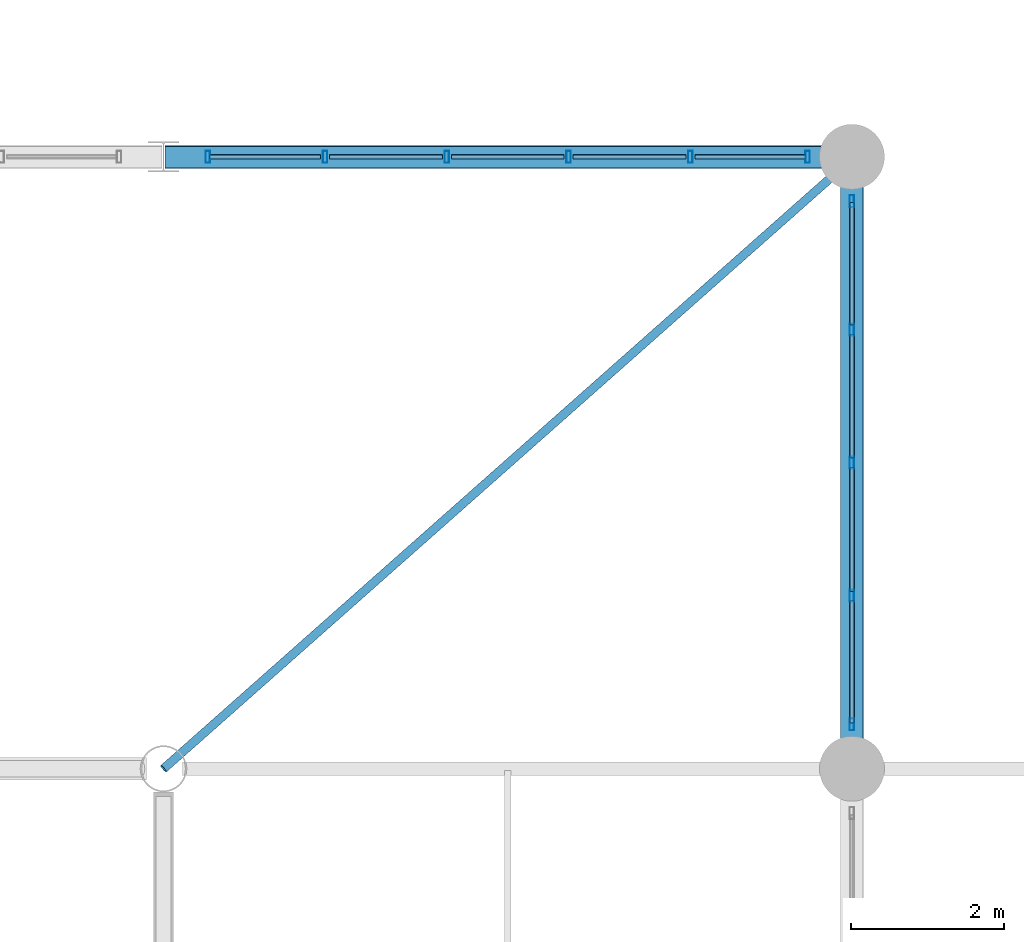
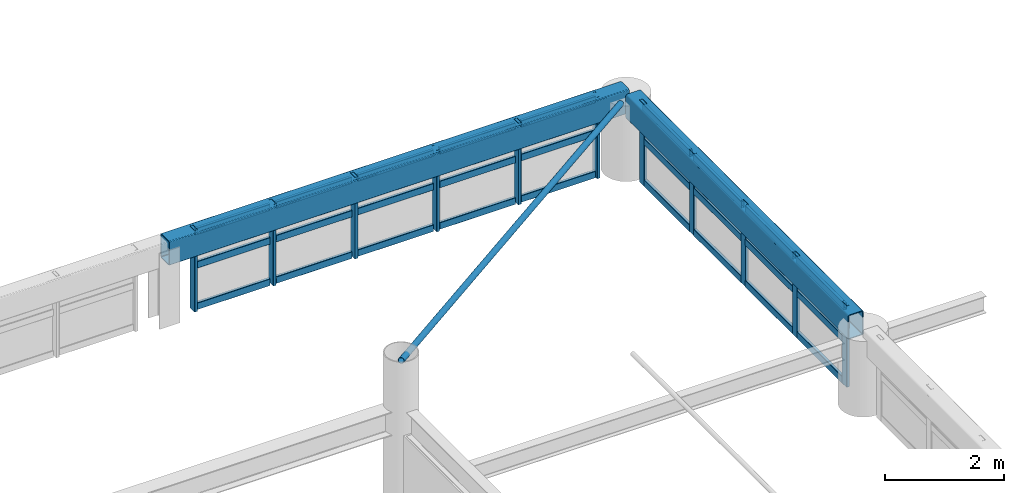
# One storey, part 59 of 128: 39 members, 2 beams, 2 elements without a shape of their own.
"""IFC4 building model written with IfcOpenShell, lengths in metres."""

from ifc_helpers import new_model, si_unit, derived_unit, direction, frame, origin, origin_2d, place, context, subcontext, project, spatial, hollow_rectangle, hollow_circle, extrude, material, material_profile, profile_set, type_object, element, aggregate, save


model = new_model("IFC4")

# Units and contexts
model_context = context("Model", 3, precision=1e-05, world=origin(), true_north=direction((0.0, 1.0)))
body_context = subcontext(model_context, "Body", "Model", "MODEL_VIEW")
ifc_project = project(units=[si_unit("LENGTHUNIT", "METRE"), si_unit("AREAUNIT", "SQUARE_METRE"), si_unit("VOLUMEUNIT", "CUBIC_METRE"), si_unit("PLANEANGLEUNIT", "RADIAN"), si_unit("MASSUNIT", "GRAM", prefix="KILO"), derived_unit("THERMALTRANSMITTANCEUNIT", [(si_unit("MASSUNIT", "GRAM", prefix="KILO"), 1), (si_unit("TIMEUNIT", "SECOND"), -3), (si_unit("THERMODYNAMICTEMPERATUREUNIT", "KELVIN"), -1)])], contexts=[model_context])

# Site, building, storey
site_placement = place(None, origin())
site = spatial("IfcSite", under=ifc_project, at=site_placement, CompositionType="ELEMENT")
building_placement = place(site_placement, origin())
building = spatial("IfcBuilding", under=site, at=building_placement, Name="Zhenchuan Archway Interchange", CompositionType="ELEMENT")
storey_placement = place(building_placement, frame((0.0, 0.0, 14.39990234375)))
storey = spatial("IfcBuildingStorey", under=building, at=storey_placement, Name="L03", CompositionType="ELEMENT", Elevation=14.39990234375)

# Beams
ifc_material_1 = material(Name="Steel Q390", Category="steel")
ifc_material_profile_1 = material_profile(ifc_material_1, hollow_rectangle(XDim=0.300048828125, YDim=0.5, WallThickness=0.01611328125, InnerFilletRadius=0.01611328125, OuterFilletRadius=0.031982421875, at=origin_2d()), Name="RHS 500x300x16")
ifc_profile_set_1 = profile_set([ifc_material_profile_1], Name="Steel Q390")
beam_type = type_object("IfcBeamType", Name="BM_RING_RHS500", PredefinedType="BEAM", material=ifc_profile_set_1)
beam_1_placement = place(storey_placement, frame((63.02001953125, 88.0, 1.4501953125), z_axis=(1.0, 0.0, 0.0), x_axis=(0.0, 1.0, 0.0)))
element("IfcBeam", 1, at=beam_1_placement, inside=storey, type_object=beam_type, Name="CONCOURSE CABLE-NET RING BEAM N-5", PredefinedType="BEAM", context=body_context, shape_type="SweptSolid", body=[
    extrude(hollow_rectangle(XDim=0.300048828125, YDim=0.5, WallThickness=0.01611328125, InnerFilletRadius=0.01611328125, OuterFilletRadius=0.031982421875, at=origin_2d()), origin(), (0.0, 0.0, 1.0), 8.9599609375),
])
beam_2_placement = place(storey_placement, frame((72.0, 80.25, 1.4501953125), z_axis=(0.0, 1.0, 0.0), x_axis=(-1.0, 0.0, 0.0)))
element("IfcBeam", 2, at=beam_2_placement, inside=storey, type_object=beam_type, Name="CONCOURSE CABLE-NET RING BEAM E-8", PredefinedType="BEAM", context=body_context, shape_type="SweptSolid", body=[
    extrude(hollow_rectangle(XDim=0.300048828125, YDim=0.5, WallThickness=0.01611328125, InnerFilletRadius=0.01611328125, OuterFilletRadius=0.031982421875, at=origin_2d()), origin(), (0.0, 0.0, 1.0), 7.5),
])

# Curtain wall, members
ifc_material_2 = material(Name="Anodised Aluminium", Category="aluminium")
curtain_wall_type_1 = type_object("IfcCurtainWallType", Name="CW_UNIT_3", PredefinedType="NOTDEFINED", material=ifc_material_2)
curtain_wall_1_placement = place(storey_placement, origin())
curtain_wall_1 = element("IfcCurtainWall", 3, at=curtain_wall_1_placement, inside=storey, type_object=curtain_wall_type_1, Name="Unitised curtain wall CW:L03:RING-E8", PredefinedType="NOTDEFINED")
ifc_material_profile_2 = material_profile(ifc_material_2, hollow_rectangle(XDim=0.06005859375, YDim=0.159912109375, WallThickness=0.00390625, InnerFilletRadius=0.00390625, OuterFilletRadius=0.008056640625, at=origin_2d()), Name="ALU 160x60x4")
ifc_profile_set_2 = profile_set([ifc_material_profile_2], Name="Anodised Aluminium")
member_type_1 = type_object("IfcMemberType", Name="CW_MUL_150", PredefinedType="MULLION", material=ifc_profile_set_2)
member_1_placement = place(storey_placement, frame((72.0, 80.580078125, 0.02001953125), z_axis=(0.0, 0.0, 1.0), x_axis=(1.0, 0.0, 0.0)))
member_1 = element("IfcMember", 4, at=member_1_placement, type_object=member_type_1, Name="CW:L03:RING-E8 mullion 0", PredefinedType="MULLION", context=body_context, shape_type="SweptSolid", body=[
    extrude(hollow_rectangle(XDim=0.06005859375, YDim=0.159912109375, WallThickness=0.00390625, InnerFilletRadius=0.00390625, OuterFilletRadius=0.008056640625, at=origin_2d()), origin(), (0.0, 0.0, 1.0), 1.68017578125),
])
member_2_placement = place(storey_placement, frame((72.0, 82.260009765625, 0.02001953125), z_axis=(0.0, 0.0, 1.0), x_axis=(1.0, 0.0, 0.0)))
member_2 = element("IfcMember", 5, at=member_2_placement, type_object=member_type_1, Name="CW:L03:RING-E8 mullion 1", PredefinedType="MULLION", context=body_context, shape_type="SweptSolid", body=[
    extrude(hollow_rectangle(XDim=0.06005859375, YDim=0.159912109375, WallThickness=0.00390625, InnerFilletRadius=0.00390625, OuterFilletRadius=0.008056640625, at=origin_2d()), origin(), (0.0, 0.0, 1.0), 1.68017578125),
])
member_3_placement = place(storey_placement, frame((72.0, 84.0, 0.02001953125), z_axis=(0.0, 0.0, 1.0), x_axis=(1.0, 0.0, 0.0)))
member_3 = element("IfcMember", 6, at=member_3_placement, type_object=member_type_1, Name="CW:L03:RING-E8 mullion 2", PredefinedType="MULLION", context=body_context, shape_type="SweptSolid", body=[
    extrude(hollow_rectangle(XDim=0.06005859375, YDim=0.159912109375, WallThickness=0.00390625, InnerFilletRadius=0.00390625, OuterFilletRadius=0.008056640625, at=origin_2d()), origin(), (0.0, 0.0, 1.0), 1.68017578125),
])
member_4_placement = place(storey_placement, frame((72.0, 85.739990234375, 0.02001953125), z_axis=(0.0, 0.0, 1.0), x_axis=(1.0, 0.0, 0.0)))
member_4 = element("IfcMember", 7, at=member_4_placement, type_object=member_type_1, Name="CW:L03:RING-E8 mullion 3", PredefinedType="MULLION", context=body_context, shape_type="SweptSolid", body=[
    extrude(hollow_rectangle(XDim=0.06005859375, YDim=0.159912109375, WallThickness=0.00390625, InnerFilletRadius=0.00390625, OuterFilletRadius=0.008056640625, at=origin_2d()), origin(), (0.0, 0.0, 1.0), 1.68017578125),
])
member_5_placement = place(storey_placement, frame((72.0, 87.419921875, 0.02001953125), z_axis=(0.0, 0.0, 1.0), x_axis=(1.0, 0.0, 0.0)))
member_5 = element("IfcMember", 8, at=member_5_placement, type_object=member_type_1, Name="CW:L03:RING-E8 mullion 4", PredefinedType="MULLION", context=body_context, shape_type="SweptSolid", body=[
    extrude(hollow_rectangle(XDim=0.06005859375, YDim=0.159912109375, WallThickness=0.00390625, InnerFilletRadius=0.00390625, OuterFilletRadius=0.008056640625, at=origin_2d()), origin(), (0.0, 0.0, 1.0), 1.68017578125),
])

curtain_wall_type_2 = type_object("IfcCurtainWallType", Name="CW_UNIT_4", PredefinedType="NOTDEFINED", material=ifc_material_2)
curtain_wall_2_placement = place(storey_placement, origin())
curtain_wall_2 = element("IfcCurtainWall", 9, at=curtain_wall_2_placement, inside=storey, type_object=curtain_wall_type_2, Name="Unitised curtain wall CW:L03:RING-N5", PredefinedType="NOTDEFINED")
member_6_placement = place(storey_placement, frame((63.580078125, 88.0, 0.02001953125), z_axis=(0.0, 0.0, 1.0), x_axis=(1.0, 0.0, 0.0)))
member_6 = element("IfcMember", 10, at=member_6_placement, type_object=member_type_1, Name="CW:L03:RING-N5 mullion 0", PredefinedType="MULLION", context=body_context, shape_type="SweptSolid", body=[
    extrude(hollow_rectangle(XDim=0.06005859375, YDim=0.159912109375, WallThickness=0.00390625, InnerFilletRadius=0.00390625, OuterFilletRadius=0.008056640625, at=origin_2d()), origin(), (0.0, 0.0, 1.0), 1.68017578125),
])
member_7_placement = place(storey_placement, frame((65.112060546875, 88.0, 0.02001953125), z_axis=(0.0, 0.0, 1.0), x_axis=(1.0, 0.0, 0.0)))
member_7 = element("IfcMember", 11, at=member_7_placement, type_object=member_type_1, Name="CW:L03:RING-N5 mullion 1", PredefinedType="MULLION", context=body_context, shape_type="SweptSolid", body=[
    extrude(hollow_rectangle(XDim=0.06005859375, YDim=0.159912109375, WallThickness=0.00390625, InnerFilletRadius=0.00390625, OuterFilletRadius=0.008056640625, at=origin_2d()), origin(), (0.0, 0.0, 1.0), 1.68017578125),
])
member_8_placement = place(storey_placement, frame((66.7041015625, 88.0, 0.02001953125), z_axis=(0.0, 0.0, 1.0), x_axis=(1.0, 0.0, 0.0)))
member_8 = element("IfcMember", 12, at=member_8_placement, type_object=member_type_1, Name="CW:L03:RING-N5 mullion 2", PredefinedType="MULLION", context=body_context, shape_type="SweptSolid", body=[
    extrude(hollow_rectangle(XDim=0.06005859375, YDim=0.159912109375, WallThickness=0.00390625, InnerFilletRadius=0.00390625, OuterFilletRadius=0.008056640625, at=origin_2d()), origin(), (0.0, 0.0, 1.0), 1.68017578125),
])
member_9_placement = place(storey_placement, frame((68.2958984375, 88.0, 0.02001953125), z_axis=(0.0, 0.0, 1.0), x_axis=(1.0, 0.0, 0.0)))
member_9 = element("IfcMember", 13, at=member_9_placement, type_object=member_type_1, Name="CW:L03:RING-N5 mullion 3", PredefinedType="MULLION", context=body_context, shape_type="SweptSolid", body=[
    extrude(hollow_rectangle(XDim=0.06005859375, YDim=0.159912109375, WallThickness=0.00390625, InnerFilletRadius=0.00390625, OuterFilletRadius=0.008056640625, at=origin_2d()), origin(), (0.0, 0.0, 1.0), 1.68017578125),
])
member_10_placement = place(storey_placement, frame((69.887939453125, 88.0, 0.02001953125), z_axis=(0.0, 0.0, 1.0), x_axis=(1.0, 0.0, 0.0)))
member_10 = element("IfcMember", 14, at=member_10_placement, type_object=member_type_1, Name="CW:L03:RING-N5 mullion 4", PredefinedType="MULLION", context=body_context, shape_type="SweptSolid", body=[
    extrude(hollow_rectangle(XDim=0.06005859375, YDim=0.159912109375, WallThickness=0.00390625, InnerFilletRadius=0.00390625, OuterFilletRadius=0.008056640625, at=origin_2d()), origin(), (0.0, 0.0, 1.0), 1.68017578125),
])
member_11_placement = place(storey_placement, frame((71.419921875, 88.0, 0.02001953125), z_axis=(0.0, 0.0, 1.0), x_axis=(1.0, 0.0, 0.0)))
member_11 = element("IfcMember", 15, at=member_11_placement, type_object=member_type_1, Name="CW:L03:RING-N5 mullion 5", PredefinedType="MULLION", context=body_context, shape_type="SweptSolid", body=[
    extrude(hollow_rectangle(XDim=0.06005859375, YDim=0.159912109375, WallThickness=0.00390625, InnerFilletRadius=0.00390625, OuterFilletRadius=0.008056640625, at=origin_2d()), origin(), (0.0, 0.0, 1.0), 1.68017578125),
])

# Member
ifc_material_profile_3 = material_profile(ifc_material_2, hollow_rectangle(XDim=0.06005859375, YDim=0.139892578125, WallThickness=0.00341796875, InnerFilletRadius=0.00341796875, OuterFilletRadius=0.007080078125, at=origin_2d()), Name="ALU 140x60x3.5")
ifc_profile_set_3 = profile_set([ifc_material_profile_3], Name="Anodised Aluminium")
member_type_2 = type_object("IfcMemberType", Name="CW_TRN_140", PredefinedType="USERDEFINED", material=ifc_profile_set_3)
member_12_placement = place(storey_placement, frame((72.0, 80.60009765625, 0.080078125), z_axis=(0.0, 1.0, 0.0), x_axis=(-1.0, 0.0, 0.0)))
member_12 = element("IfcMember", 16, at=member_12_placement, type_object=member_type_2, Name="CW:L03:RING-E8 transom 0-1", ObjectType="TRANSOM", PredefinedType="USERDEFINED", context=body_context, shape_type="SweptSolid", body=[
    extrude(hollow_rectangle(XDim=0.06005859375, YDim=0.139892578125, WallThickness=0.00341796875, InnerFilletRadius=0.00341796875, OuterFilletRadius=0.007080078125, at=origin_2d()), origin(), (0.0, 0.0, 1.0), 1.599853515625),
])

member_13_placement = place(storey_placement, frame((72.0, 80.60009765625, 0.93310546875), z_axis=(0.0, 1.0, 0.0), x_axis=(-1.0, 0.0, 0.0)))
member_13 = element("IfcMember", 17, at=member_13_placement, type_object=member_type_2, Name="CW:L03:RING-E8 transom 0-2", ObjectType="TRANSOM", PredefinedType="USERDEFINED", context=body_context, shape_type="SweptSolid", body=[
    extrude(hollow_rectangle(XDim=0.06005859375, YDim=0.139892578125, WallThickness=0.00341796875, InnerFilletRadius=0.00341796875, OuterFilletRadius=0.007080078125, at=origin_2d()), origin(), (0.0, 0.0, 1.0), 1.599853515625),
])

member_14_placement = place(storey_placement, frame((72.0, 80.60009765625, 1.6201171875), z_axis=(0.0, 1.0, 0.0), x_axis=(-1.0, 0.0, 0.0)))
member_14 = element("IfcMember", 18, at=member_14_placement, type_object=member_type_2, Name="CW:L03:RING-E8 transom 0-3", ObjectType="TRANSOM", PredefinedType="USERDEFINED", context=body_context, shape_type="SweptSolid", body=[
    extrude(hollow_rectangle(XDim=0.06005859375, YDim=0.139892578125, WallThickness=0.00341796875, InnerFilletRadius=0.00341796875, OuterFilletRadius=0.007080078125, at=origin_2d()), origin(), (0.0, 0.0, 1.0), 1.599853515625),
])

member_15_placement = place(storey_placement, frame((72.0, 82.320068359375, 0.080078125), z_axis=(0.0, 1.0, 0.0), x_axis=(-1.0, 0.0, 0.0)))
member_15 = element("IfcMember", 19, at=member_15_placement, type_object=member_type_2, Name="CW:L03:RING-E8 transom 1-1", ObjectType="TRANSOM", PredefinedType="USERDEFINED", context=body_context, shape_type="SweptSolid", body=[
    extrude(hollow_rectangle(XDim=0.06005859375, YDim=0.139892578125, WallThickness=0.00341796875, InnerFilletRadius=0.00341796875, OuterFilletRadius=0.007080078125, at=origin_2d()), origin(), (0.0, 0.0, 1.0), 1.619873046875),
])

member_16_placement = place(storey_placement, frame((72.0, 82.320068359375, 0.93310546875), z_axis=(0.0, 1.0, 0.0), x_axis=(-1.0, 0.0, 0.0)))
member_16 = element("IfcMember", 20, at=member_16_placement, type_object=member_type_2, Name="CW:L03:RING-E8 transom 1-2", ObjectType="TRANSOM", PredefinedType="USERDEFINED", context=body_context, shape_type="SweptSolid", body=[
    extrude(hollow_rectangle(XDim=0.06005859375, YDim=0.139892578125, WallThickness=0.00341796875, InnerFilletRadius=0.00341796875, OuterFilletRadius=0.007080078125, at=origin_2d()), origin(), (0.0, 0.0, 1.0), 1.619873046875),
])

member_17_placement = place(storey_placement, frame((72.0, 82.320068359375, 1.6201171875), z_axis=(0.0, 1.0, 0.0), x_axis=(-1.0, 0.0, 0.0)))
member_17 = element("IfcMember", 21, at=member_17_placement, type_object=member_type_2, Name="CW:L03:RING-E8 transom 1-3", ObjectType="TRANSOM", PredefinedType="USERDEFINED", context=body_context, shape_type="SweptSolid", body=[
    extrude(hollow_rectangle(XDim=0.06005859375, YDim=0.139892578125, WallThickness=0.00341796875, InnerFilletRadius=0.00341796875, OuterFilletRadius=0.007080078125, at=origin_2d()), origin(), (0.0, 0.0, 1.0), 1.619873046875),
])

member_18_placement = place(storey_placement, frame((72.0, 84.06005859375, 0.080078125), z_axis=(0.0, 1.0, 0.0), x_axis=(-1.0, 0.0, 0.0)))
member_18 = element("IfcMember", 22, at=member_18_placement, type_object=member_type_2, Name="CW:L03:RING-E8 transom 2-1", ObjectType="TRANSOM", PredefinedType="USERDEFINED", context=body_context, shape_type="SweptSolid", body=[
    extrude(hollow_rectangle(XDim=0.06005859375, YDim=0.139892578125, WallThickness=0.00341796875, InnerFilletRadius=0.00341796875, OuterFilletRadius=0.007080078125, at=origin_2d()), origin(), (0.0, 0.0, 1.0), 1.619873046875),
])

member_19_placement = place(storey_placement, frame((72.0, 84.06005859375, 0.93310546875), z_axis=(0.0, 1.0, 0.0), x_axis=(-1.0, 0.0, 0.0)))
member_19 = element("IfcMember", 23, at=member_19_placement, type_object=member_type_2, Name="CW:L03:RING-E8 transom 2-2", ObjectType="TRANSOM", PredefinedType="USERDEFINED", context=body_context, shape_type="SweptSolid", body=[
    extrude(hollow_rectangle(XDim=0.06005859375, YDim=0.139892578125, WallThickness=0.00341796875, InnerFilletRadius=0.00341796875, OuterFilletRadius=0.007080078125, at=origin_2d()), origin(), (0.0, 0.0, 1.0), 1.619873046875),
])

member_20_placement = place(storey_placement, frame((72.0, 84.06005859375, 1.6201171875), z_axis=(0.0, 1.0, 0.0), x_axis=(-1.0, 0.0, 0.0)))
member_20 = element("IfcMember", 24, at=member_20_placement, type_object=member_type_2, Name="CW:L03:RING-E8 transom 2-3", ObjectType="TRANSOM", PredefinedType="USERDEFINED", context=body_context, shape_type="SweptSolid", body=[
    extrude(hollow_rectangle(XDim=0.06005859375, YDim=0.139892578125, WallThickness=0.00341796875, InnerFilletRadius=0.00341796875, OuterFilletRadius=0.007080078125, at=origin_2d()), origin(), (0.0, 0.0, 1.0), 1.619873046875),
])

member_21_placement = place(storey_placement, frame((72.0, 85.800048828125, 0.080078125), z_axis=(0.0, 1.0, 0.0), x_axis=(-1.0, 0.0, 0.0)))
member_21 = element("IfcMember", 25, at=member_21_placement, type_object=member_type_2, Name="CW:L03:RING-E8 transom 3-1", ObjectType="TRANSOM", PredefinedType="USERDEFINED", context=body_context, shape_type="SweptSolid", body=[
    extrude(hollow_rectangle(XDim=0.06005859375, YDim=0.139892578125, WallThickness=0.00341796875, InnerFilletRadius=0.00341796875, OuterFilletRadius=0.007080078125, at=origin_2d()), origin(), (0.0, 0.0, 1.0), 1.599853515625),
])

member_22_placement = place(storey_placement, frame((72.0, 85.800048828125, 0.93310546875), z_axis=(0.0, 1.0, 0.0), x_axis=(-1.0, 0.0, 0.0)))
member_22 = element("IfcMember", 26, at=member_22_placement, type_object=member_type_2, Name="CW:L03:RING-E8 transom 3-2", ObjectType="TRANSOM", PredefinedType="USERDEFINED", context=body_context, shape_type="SweptSolid", body=[
    extrude(hollow_rectangle(XDim=0.06005859375, YDim=0.139892578125, WallThickness=0.00341796875, InnerFilletRadius=0.00341796875, OuterFilletRadius=0.007080078125, at=origin_2d()), origin(), (0.0, 0.0, 1.0), 1.599853515625),
])

member_23_placement = place(storey_placement, frame((72.0, 85.800048828125, 1.6201171875), z_axis=(0.0, 1.0, 0.0), x_axis=(-1.0, 0.0, 0.0)))
member_23 = element("IfcMember", 27, at=member_23_placement, type_object=member_type_2, Name="CW:L03:RING-E8 transom 3-3", ObjectType="TRANSOM", PredefinedType="USERDEFINED", context=body_context, shape_type="SweptSolid", body=[
    extrude(hollow_rectangle(XDim=0.06005859375, YDim=0.139892578125, WallThickness=0.00341796875, InnerFilletRadius=0.00341796875, OuterFilletRadius=0.007080078125, at=origin_2d()), origin(), (0.0, 0.0, 1.0), 1.599853515625),
])

aggregate(curtain_wall_1, [member_1, member_2, member_3, member_4, member_5, member_12, member_13, member_14, member_15, member_16, member_17, member_18, member_19, member_20, member_21, member_22, member_23])

member_24_placement = place(storey_placement, frame((63.60009765625, 88.0, 0.080078125), z_axis=(1.0, 0.0, 0.0), x_axis=(0.0, 1.0, 0.0)))
member_24 = element("IfcMember", 28, at=member_24_placement, type_object=member_type_2, Name="CW:L03:RING-N5 transom 0-1", ObjectType="TRANSOM", PredefinedType="USERDEFINED", context=body_context, shape_type="SweptSolid", body=[
    extrude(hollow_rectangle(XDim=0.06005859375, YDim=0.139892578125, WallThickness=0.00341796875, InnerFilletRadius=0.00341796875, OuterFilletRadius=0.007080078125, at=origin_2d()), origin(), (0.0, 0.0, 1.0), 1.451904296875),
])

member_25_placement = place(storey_placement, frame((63.60009765625, 88.0, 0.93310546875), z_axis=(1.0, 0.0, 0.0), x_axis=(0.0, 1.0, 0.0)))
member_25 = element("IfcMember", 29, at=member_25_placement, type_object=member_type_2, Name="CW:L03:RING-N5 transom 0-2", ObjectType="TRANSOM", PredefinedType="USERDEFINED", context=body_context, shape_type="SweptSolid", body=[
    extrude(hollow_rectangle(XDim=0.06005859375, YDim=0.139892578125, WallThickness=0.00341796875, InnerFilletRadius=0.00341796875, OuterFilletRadius=0.007080078125, at=origin_2d()), origin(), (0.0, 0.0, 1.0), 1.451904296875),
])

member_26_placement = place(storey_placement, frame((63.60009765625, 88.0, 1.6201171875), z_axis=(1.0, 0.0, 0.0), x_axis=(0.0, 1.0, 0.0)))
member_26 = element("IfcMember", 30, at=member_26_placement, type_object=member_type_2, Name="CW:L03:RING-N5 transom 0-3", ObjectType="TRANSOM", PredefinedType="USERDEFINED", context=body_context, shape_type="SweptSolid", body=[
    extrude(hollow_rectangle(XDim=0.06005859375, YDim=0.139892578125, WallThickness=0.00341796875, InnerFilletRadius=0.00341796875, OuterFilletRadius=0.007080078125, at=origin_2d()), origin(), (0.0, 0.0, 1.0), 1.451904296875),
])

member_27_placement = place(storey_placement, frame((65.172119140625, 88.0, 0.080078125), z_axis=(1.0, 0.0, 0.0), x_axis=(0.0, 1.0, 0.0)))
member_27 = element("IfcMember", 31, at=member_27_placement, type_object=member_type_2, Name="CW:L03:RING-N5 transom 1-1", ObjectType="TRANSOM", PredefinedType="USERDEFINED", context=body_context, shape_type="SweptSolid", body=[
    extrude(hollow_rectangle(XDim=0.06005859375, YDim=0.139892578125, WallThickness=0.00341796875, InnerFilletRadius=0.00341796875, OuterFilletRadius=0.007080078125, at=origin_2d()), origin(), (0.0, 0.0, 1.0), 1.471923828125),
])

member_28_placement = place(storey_placement, frame((65.172119140625, 88.0, 0.93310546875), z_axis=(1.0, 0.0, 0.0), x_axis=(0.0, 1.0, 0.0)))
member_28 = element("IfcMember", 32, at=member_28_placement, type_object=member_type_2, Name="CW:L03:RING-N5 transom 1-2", ObjectType="TRANSOM", PredefinedType="USERDEFINED", context=body_context, shape_type="SweptSolid", body=[
    extrude(hollow_rectangle(XDim=0.06005859375, YDim=0.139892578125, WallThickness=0.00341796875, InnerFilletRadius=0.00341796875, OuterFilletRadius=0.007080078125, at=origin_2d()), origin(), (0.0, 0.0, 1.0), 1.471923828125),
])

member_29_placement = place(storey_placement, frame((65.172119140625, 88.0, 1.6201171875), z_axis=(1.0, 0.0, 0.0), x_axis=(0.0, 1.0, 0.0)))
member_29 = element("IfcMember", 33, at=member_29_placement, type_object=member_type_2, Name="CW:L03:RING-N5 transom 1-3", ObjectType="TRANSOM", PredefinedType="USERDEFINED", context=body_context, shape_type="SweptSolid", body=[
    extrude(hollow_rectangle(XDim=0.06005859375, YDim=0.139892578125, WallThickness=0.00341796875, InnerFilletRadius=0.00341796875, OuterFilletRadius=0.007080078125, at=origin_2d()), origin(), (0.0, 0.0, 1.0), 1.471923828125),
])

member_30_placement = place(storey_placement, frame((66.763916015625, 88.0, 0.080078125), z_axis=(1.0, 0.0, 0.0), x_axis=(0.0, 1.0, 0.0)))
member_30 = element("IfcMember", 34, at=member_30_placement, type_object=member_type_2, Name="CW:L03:RING-N5 transom 2-1", ObjectType="TRANSOM", PredefinedType="USERDEFINED", context=body_context, shape_type="SweptSolid", body=[
    extrude(hollow_rectangle(XDim=0.06005859375, YDim=0.139892578125, WallThickness=0.00341796875, InnerFilletRadius=0.00341796875, OuterFilletRadius=0.007080078125, at=origin_2d()), origin(), (0.0, 0.0, 1.0), 1.47216796875),
])

member_31_placement = place(storey_placement, frame((66.763916015625, 88.0, 0.93310546875), z_axis=(1.0, 0.0, 0.0), x_axis=(0.0, 1.0, 0.0)))
member_31 = element("IfcMember", 35, at=member_31_placement, type_object=member_type_2, Name="CW:L03:RING-N5 transom 2-2", ObjectType="TRANSOM", PredefinedType="USERDEFINED", context=body_context, shape_type="SweptSolid", body=[
    extrude(hollow_rectangle(XDim=0.06005859375, YDim=0.139892578125, WallThickness=0.00341796875, InnerFilletRadius=0.00341796875, OuterFilletRadius=0.007080078125, at=origin_2d()), origin(), (0.0, 0.0, 1.0), 1.47216796875),
])

member_32_placement = place(storey_placement, frame((66.763916015625, 88.0, 1.6201171875), z_axis=(1.0, 0.0, 0.0), x_axis=(0.0, 1.0, 0.0)))
member_32 = element("IfcMember", 36, at=member_32_placement, type_object=member_type_2, Name="CW:L03:RING-N5 transom 2-3", ObjectType="TRANSOM", PredefinedType="USERDEFINED", context=body_context, shape_type="SweptSolid", body=[
    extrude(hollow_rectangle(XDim=0.06005859375, YDim=0.139892578125, WallThickness=0.00341796875, InnerFilletRadius=0.00341796875, OuterFilletRadius=0.007080078125, at=origin_2d()), origin(), (0.0, 0.0, 1.0), 1.47216796875),
])

member_33_placement = place(storey_placement, frame((68.35595703125, 88.0, 0.080078125), z_axis=(1.0, 0.0, 0.0), x_axis=(0.0, 1.0, 0.0)))
member_33 = element("IfcMember", 37, at=member_33_placement, type_object=member_type_2, Name="CW:L03:RING-N5 transom 3-1", ObjectType="TRANSOM", PredefinedType="USERDEFINED", context=body_context, shape_type="SweptSolid", body=[
    extrude(hollow_rectangle(XDim=0.06005859375, YDim=0.139892578125, WallThickness=0.00341796875, InnerFilletRadius=0.00341796875, OuterFilletRadius=0.007080078125, at=origin_2d()), origin(), (0.0, 0.0, 1.0), 1.471923828125),
])

member_34_placement = place(storey_placement, frame((68.35595703125, 88.0, 0.93310546875), z_axis=(1.0, 0.0, 0.0), x_axis=(0.0, 1.0, 0.0)))
member_34 = element("IfcMember", 38, at=member_34_placement, type_object=member_type_2, Name="CW:L03:RING-N5 transom 3-2", ObjectType="TRANSOM", PredefinedType="USERDEFINED", context=body_context, shape_type="SweptSolid", body=[
    extrude(hollow_rectangle(XDim=0.06005859375, YDim=0.139892578125, WallThickness=0.00341796875, InnerFilletRadius=0.00341796875, OuterFilletRadius=0.007080078125, at=origin_2d()), origin(), (0.0, 0.0, 1.0), 1.471923828125),
])

member_35_placement = place(storey_placement, frame((68.35595703125, 88.0, 1.6201171875), z_axis=(1.0, 0.0, 0.0), x_axis=(0.0, 1.0, 0.0)))
member_35 = element("IfcMember", 39, at=member_35_placement, type_object=member_type_2, Name="CW:L03:RING-N5 transom 3-3", ObjectType="TRANSOM", PredefinedType="USERDEFINED", context=body_context, shape_type="SweptSolid", body=[
    extrude(hollow_rectangle(XDim=0.06005859375, YDim=0.139892578125, WallThickness=0.00341796875, InnerFilletRadius=0.00341796875, OuterFilletRadius=0.007080078125, at=origin_2d()), origin(), (0.0, 0.0, 1.0), 1.471923828125),
])

member_36_placement = place(storey_placement, frame((69.947998046875, 88.0, 0.080078125), z_axis=(1.0, 0.0, 0.0), x_axis=(0.0, 1.0, 0.0)))
member_36 = element("IfcMember", 40, at=member_36_placement, type_object=member_type_2, Name="CW:L03:RING-N5 transom 4-1", ObjectType="TRANSOM", PredefinedType="USERDEFINED", context=body_context, shape_type="SweptSolid", body=[
    extrude(hollow_rectangle(XDim=0.06005859375, YDim=0.139892578125, WallThickness=0.00341796875, InnerFilletRadius=0.00341796875, OuterFilletRadius=0.007080078125, at=origin_2d()), origin(), (0.0, 0.0, 1.0), 1.451904296875),
])

member_37_placement = place(storey_placement, frame((69.947998046875, 88.0, 0.93310546875), z_axis=(1.0, 0.0, 0.0), x_axis=(0.0, 1.0, 0.0)))
member_37 = element("IfcMember", 41, at=member_37_placement, type_object=member_type_2, Name="CW:L03:RING-N5 transom 4-2", ObjectType="TRANSOM", PredefinedType="USERDEFINED", context=body_context, shape_type="SweptSolid", body=[
    extrude(hollow_rectangle(XDim=0.06005859375, YDim=0.139892578125, WallThickness=0.00341796875, InnerFilletRadius=0.00341796875, OuterFilletRadius=0.007080078125, at=origin_2d()), origin(), (0.0, 0.0, 1.0), 1.451904296875),
])

member_38_placement = place(storey_placement, frame((69.947998046875, 88.0, 1.6201171875), z_axis=(1.0, 0.0, 0.0), x_axis=(0.0, 1.0, 0.0)))
member_38 = element("IfcMember", 42, at=member_38_placement, type_object=member_type_2, Name="CW:L03:RING-N5 transom 4-3", ObjectType="TRANSOM", PredefinedType="USERDEFINED", context=body_context, shape_type="SweptSolid", body=[
    extrude(hollow_rectangle(XDim=0.06005859375, YDim=0.139892578125, WallThickness=0.00341796875, InnerFilletRadius=0.00341796875, OuterFilletRadius=0.007080078125, at=origin_2d()), origin(), (0.0, 0.0, 1.0), 1.451904296875),
])

aggregate(curtain_wall_2, [member_6, member_7, member_8, member_9, member_10, member_11, member_24, member_25, member_26, member_27, member_28, member_29, member_30, member_31, member_32, member_33, member_34, member_35, member_36, member_37, member_38])

ifc_material_profile_4 = material_profile(ifc_material_1, hollow_circle(Radius=0.056884765625, WallThickness=0.006103515625, at=origin_2d()), Name="CHS 114x6")
ifc_profile_set_4 = profile_set([ifc_material_profile_4], Name="Steel Q390")
member_type_3 = type_object("IfcMemberType", Name="MB_CBL_CHS114", PredefinedType="USERDEFINED", material=ifc_profile_set_4)
member_39_placement = place(storey_placement, frame((63.0, 80.0, 4.02001953125), z_axis=(0.732414406249, 0.648709902677, -0.206747671541), x_axis=(-0.663035245296, 0.748588180173, 0.0)))
element("IfcMember", 43, at=member_39_placement, inside=storey, type_object=member_type_3, Name="CONCOURSE ROOF CABLE hip anchor strand NE1", ObjectType="CABLE", PredefinedType="USERDEFINED", context=body_context, shape_type="SweptSolid", body=[
    extrude(hollow_circle(Radius=0.056884765625, WallThickness=0.006103515625, at=origin_2d()), origin(), (0.0, 0.0, 1.0), 11.94677734375),
])

save(model, "model.ifc")
